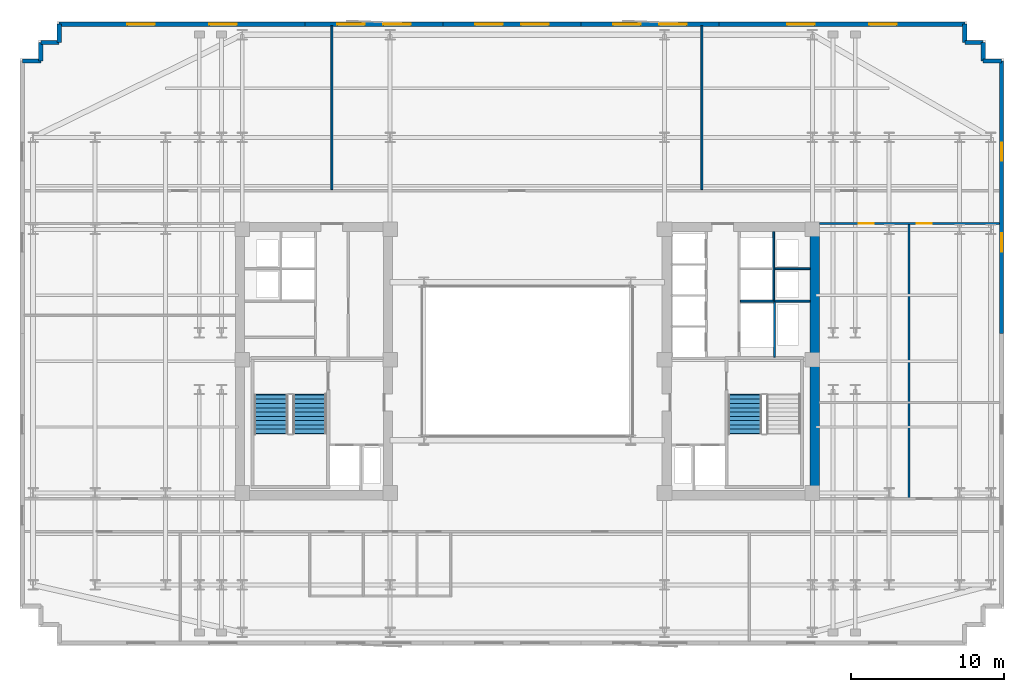
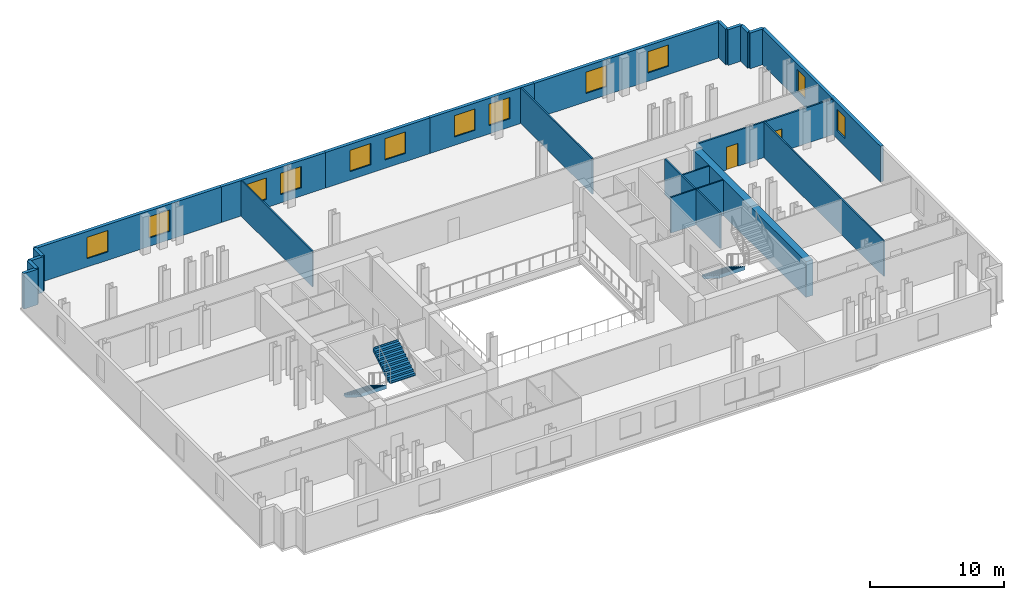
# One storey, part 7 of 10: 23 walls, 12 windows, 3 stair flights, 2 doors, 14 openings, 2 elements without a shape of their own.
"""IFC4 building model written with IfcOpenShell, lengths in metres."""

from ifc_helpers import new_model, si_unit, direction, frame, frame_2d, origin, place, context, subcontext, project, spatial, polyline, rectangle, outline, extrude, material, layer, layer_set, type_object, element, fill, aggregate, save


model = new_model("IFC4")

# Units and contexts
model_context = context("Model", 3, precision=1e-05, world=origin(), true_north=direction((0.0, 1.0)))
body_context = subcontext(model_context, "Body", "Model", "MODEL_VIEW")
ifc_project = project(units=[si_unit("LENGTHUNIT", "METRE"), si_unit("AREAUNIT", "SQUARE_METRE"), si_unit("VOLUMEUNIT", "CUBIC_METRE"), si_unit("PLANEANGLEUNIT", "RADIAN"), si_unit("MASSUNIT", "GRAM", prefix="KILO")], contexts=[model_context])

# Site, building, storey
site_placement = place(None, origin())
site = spatial("IfcSite", under=ifc_project, at=site_placement, CompositionType="ELEMENT")
building_placement = place(site_placement, origin())
building = spatial("IfcBuilding", under=site, at=building_placement, Name="Velakula Bourse", CompositionType="ELEMENT")
storey_placement = place(building_placement, frame((0.0, 0.0, 124.300048828125)))
storey = spatial("IfcBuildingStorey", under=building, at=storey_placement, Name="L33", CompositionType="ELEMENT", Elevation=124.300048828125)

# Wall
ifc_material_1 = material(Name="Concrete M70 (fck 70 MPa)", Category="concrete")
ifc_layer_1 = layer(ifc_material_1, 0.60009765625, Name="Concrete M70 (fck 70 MPa)", Category="concrete")
ifc_layer_set_1 = layer_set([ifc_layer_1], Name="Concrete M70 (fck 70 MPa)")
wall_type_1 = type_object("IfcWallType", Name="WL-CORE-600", PredefinedType="SHEAR", material=ifc_layer_set_1)
wall_1_placement = place(storey_placement, frame((18.75, -8.449951171875, 0.0), z_axis=(0.0, 0.0, 1.0), x_axis=(0.0, 1.0, 0.0)))
element("IfcWall", 1, at=wall_1_placement, inside=storey, type_object=wall_type_1, Name="L33 Core E Shear Wall E", PredefinedType="SHEAR", context=body_context, shape_type="SweptSolid", body=[
    extrude(rectangle(XDim=16.89990234375, YDim=0.60009765625, at=frame_2d((8.449951171875, 0.0))), origin(), (0.0, 0.0, 1.0), 3.27001953125),
])

# Wall, openings, windows
ifc_material_2 = material(Name="Red kilned clay facing brick masonry", Category="masonry")
ifc_layer_2 = layer(ifc_material_2, 0.280029296875, Name="Red kilned clay facing brick masonry", Category="masonry")
ifc_layer_set_2 = layer_set([ifc_layer_2], Name="Red kilned clay facing brick masonry")
wall_type_2 = type_object("IfcWallType", Name="WL-EXT-BRK-280", PredefinedType="STANDARD", material=ifc_layer_set_2)
wall_2_placement = place(storey_placement, frame((-30.5400390625, 21.989990234375, 0.0), z_axis=(0.0, 0.0, 1.0), x_axis=(1.0, 0.0, 0.0)))
wall_2 = element("IfcWall", 2, at=wall_2_placement, inside=storey, type_object=wall_type_2, Name="L33 N Brick Spandrel Wall B1", PredefinedType="STANDARD", context=body_context, shape_type="SweptSolid", body=[
    extrude(rectangle(XDim=16.0400390625, YDim=0.280029296875, at=frame_2d((8.02001953125, 0.0))), origin(), (0.0, 0.0, 1.0), 3.25),
])
opening_1_placement = place(wall_2_placement, frame((4.44677734375, 0.0, 0.760009765625)))
opening_1 = element("IfcOpeningElement", 3, at=opening_1_placement, cuts=wall_2, Name="Opening W-01", PredefinedType="OPENING", context=body_context, shape_type="SweptSolid", body=[
    extrude(rectangle(XDim=1.800048828125, YDim=1.949951171875, at=frame_2d((0.89990234375, 0.97509765625))), frame((0.0, 0.14990234375, 0.0), z_axis=(0.0, -1.0, 0.0), x_axis=(1.0, 0.0, 0.0)), (0.0, 0.0, 1.0), 0.300048828125),
])
opening_2_placement = place(wall_2_placement, frame((9.793212890625, 0.0, 0.760009765625)))
opening_2 = element("IfcOpeningElement", 4, at=opening_2_placement, cuts=wall_2, Name="Opening W-01", PredefinedType="OPENING", context=body_context, shape_type="SweptSolid", body=[
    extrude(rectangle(XDim=1.800048828125, YDim=1.949951171875, at=frame_2d((0.89990234375, 0.97509765625))), frame((0.0, 0.14990234375, 0.0), z_axis=(0.0, -1.0, 0.0), x_axis=(1.0, 0.0, 0.0)), (0.0, 0.0, 1.0), 0.300048828125),
])
ifc_material_3 = material(Name="Double-glazed solar-control Low-E glass", Category="glass")
window_type_1 = type_object("IfcWindowType", Name="WIN-TWR-1800x2100", PartitioningType="SINGLE_PANEL", PredefinedType="WINDOW", material=ifc_material_3)
window_1_placement = place(opening_1_placement, origin())
window_1 = element("IfcWindow", 5, at=window_1_placement, inside=storey, type_object=window_type_1, Name="L33 Deep-Set Recessed Window 1", OverallHeight=1.949951171875, OverallWidth=1.800048828125, PartitioningType="SINGLE_PANEL", PredefinedType="WINDOW", context=body_context, shape_type="SweptSolid", body=[
    extrude(rectangle(XDim=1.800048828125, YDim=1.949951171875, at=frame_2d((0.89990234375, 0.97509765625))), frame((0.0, 0.030029296875, 0.0), z_axis=(0.0, -1.0, 0.0), x_axis=(1.0, 0.0, 0.0)), (0.0, 0.0, 1.0), 0.06005859375),
])
fill(opening_1, window_1)
window_2_placement = place(opening_2_placement, origin())
window_2 = element("IfcWindow", 6, at=window_2_placement, inside=storey, type_object=window_type_1, Name="L33 Deep-Set Recessed Window 2", OverallHeight=1.949951171875, OverallWidth=1.800048828125, PartitioningType="SINGLE_PANEL", PredefinedType="WINDOW", context=body_context, shape_type="SweptSolid", body=[
    extrude(rectangle(XDim=1.800048828125, YDim=1.949951171875, at=frame_2d((0.89990234375, 0.97509765625))), frame((0.0, 0.030029296875, 0.0), z_axis=(0.0, -1.0, 0.0), x_axis=(1.0, 0.0, 0.0)), (0.0, 0.0, 1.0), 0.06005859375),
])
fill(opening_2, window_2)

wall_3_placement = place(storey_placement, frame((-14.5, 21.989990234375, 0.0), z_axis=(0.0, 0.0, 1.0), x_axis=(1.0, 0.0, 0.0)))
wall_3 = element("IfcWall", 7, at=wall_3_placement, inside=storey, type_object=wall_type_2, Name="L33 N Brick Spandrel Wall B2", PredefinedType="STANDARD", context=body_context, shape_type="SweptSolid", body=[
    extrude(rectangle(XDim=9.0, YDim=0.280029296875, at=frame_2d((4.5, 0.0))), origin(), (0.0, 0.0, 1.0), 3.25),
])
opening_3_placement = place(wall_3_placement, frame((2.10009765625, 0.0, 0.760009765625)))
opening_3 = element("IfcOpeningElement", 8, at=opening_3_placement, cuts=wall_3, Name="Opening W-01", PredefinedType="OPENING", context=body_context, shape_type="SweptSolid", body=[
    extrude(rectangle(XDim=1.800048828125, YDim=1.949951171875, at=frame_2d((0.89990234375, 0.97509765625))), frame((0.0, 0.14990234375, 0.0), z_axis=(0.0, -1.0, 0.0), x_axis=(1.0, 0.0, 0.0)), (0.0, 0.0, 1.0), 0.300048828125),
])
opening_4_placement = place(wall_3_placement, frame((5.10009765625, 0.0, 0.760009765625)))
opening_4 = element("IfcOpeningElement", 9, at=opening_4_placement, cuts=wall_3, Name="Opening W-01", PredefinedType="OPENING", context=body_context, shape_type="SweptSolid", body=[
    extrude(rectangle(XDim=1.800048828125, YDim=1.949951171875, at=frame_2d((0.89990234375, 0.97509765625))), frame((0.0, 0.14990234375, 0.0), z_axis=(0.0, -1.0, 0.0), x_axis=(1.0, 0.0, 0.0)), (0.0, 0.0, 1.0), 0.300048828125),
])
window_3_placement = place(opening_3_placement, origin())
window_3 = element("IfcWindow", 10, at=window_3_placement, inside=storey, type_object=window_type_1, Name="L33 Deep-Set Recessed Window 1", OverallHeight=1.949951171875, OverallWidth=1.800048828125, PartitioningType="SINGLE_PANEL", PredefinedType="WINDOW", context=body_context, shape_type="SweptSolid", body=[
    extrude(rectangle(XDim=1.800048828125, YDim=1.949951171875, at=frame_2d((0.89990234375, 0.97509765625))), frame((0.0, 0.030029296875, 0.0), z_axis=(0.0, -1.0, 0.0), x_axis=(1.0, 0.0, 0.0)), (0.0, 0.0, 1.0), 0.06005859375),
])
fill(opening_3, window_3)
window_4_placement = place(opening_4_placement, origin())
window_4 = element("IfcWindow", 11, at=window_4_placement, inside=storey, type_object=window_type_1, Name="L33 Deep-Set Recessed Window 2", OverallHeight=1.949951171875, OverallWidth=1.800048828125, PartitioningType="SINGLE_PANEL", PredefinedType="WINDOW", context=body_context, shape_type="SweptSolid", body=[
    extrude(rectangle(XDim=1.800048828125, YDim=1.949951171875, at=frame_2d((0.89990234375, 0.97509765625))), frame((0.0, 0.030029296875, 0.0), z_axis=(0.0, -1.0, 0.0), x_axis=(1.0, 0.0, 0.0)), (0.0, 0.0, 1.0), 0.06005859375),
])
fill(opening_4, window_4)

wall_4_placement = place(storey_placement, frame((-5.5, 21.989990234375, 0.0), z_axis=(0.0, 0.0, 1.0), x_axis=(1.0, 0.0, 0.0)))
wall_4 = element("IfcWall", 12, at=wall_4_placement, inside=storey, type_object=wall_type_2, Name="L33 N Brick Spandrel Wall B3", PredefinedType="STANDARD", context=body_context, shape_type="SweptSolid", body=[
    extrude(rectangle(XDim=9.0, YDim=0.280029296875, at=frame_2d((4.5, 0.0))), origin(), (0.0, 0.0, 1.0), 3.25),
])
opening_5_placement = place(wall_4_placement, frame((2.10009765625, 0.0, 0.760009765625)))
opening_5 = element("IfcOpeningElement", 13, at=opening_5_placement, cuts=wall_4, Name="Opening W-01", PredefinedType="OPENING", context=body_context, shape_type="SweptSolid", body=[
    extrude(rectangle(XDim=1.800048828125, YDim=1.949951171875, at=frame_2d((0.89990234375, 0.97509765625))), frame((0.0, 0.14990234375, 0.0), z_axis=(0.0, -1.0, 0.0), x_axis=(1.0, 0.0, 0.0)), (0.0, 0.0, 1.0), 0.300048828125),
])
opening_6_placement = place(wall_4_placement, frame((5.10009765625, 0.0, 0.760009765625)))
opening_6 = element("IfcOpeningElement", 14, at=opening_6_placement, cuts=wall_4, Name="Opening W-01", PredefinedType="OPENING", context=body_context, shape_type="SweptSolid", body=[
    extrude(rectangle(XDim=1.800048828125, YDim=1.949951171875, at=frame_2d((0.89990234375, 0.97509765625))), frame((0.0, 0.14990234375, 0.0), z_axis=(0.0, -1.0, 0.0), x_axis=(1.0, 0.0, 0.0)), (0.0, 0.0, 1.0), 0.300048828125),
])
window_5_placement = place(opening_5_placement, origin())
window_5 = element("IfcWindow", 15, at=window_5_placement, inside=storey, type_object=window_type_1, Name="L33 Deep-Set Recessed Window 1", OverallHeight=1.949951171875, OverallWidth=1.800048828125, PartitioningType="SINGLE_PANEL", PredefinedType="WINDOW", context=body_context, shape_type="SweptSolid", body=[
    extrude(rectangle(XDim=1.800048828125, YDim=1.949951171875, at=frame_2d((0.89990234375, 0.97509765625))), frame((0.0, 0.030029296875, 0.0), z_axis=(0.0, -1.0, 0.0), x_axis=(1.0, 0.0, 0.0)), (0.0, 0.0, 1.0), 0.06005859375),
])
fill(opening_5, window_5)
window_6_placement = place(opening_6_placement, origin())
window_6 = element("IfcWindow", 16, at=window_6_placement, inside=storey, type_object=window_type_1, Name="L33 Deep-Set Recessed Window 2", OverallHeight=1.949951171875, OverallWidth=1.800048828125, PartitioningType="SINGLE_PANEL", PredefinedType="WINDOW", context=body_context, shape_type="SweptSolid", body=[
    extrude(rectangle(XDim=1.800048828125, YDim=1.949951171875, at=frame_2d((0.89990234375, 0.97509765625))), frame((0.0, 0.030029296875, 0.0), z_axis=(0.0, -1.0, 0.0), x_axis=(1.0, 0.0, 0.0)), (0.0, 0.0, 1.0), 0.06005859375),
])
fill(opening_6, window_6)

wall_5_placement = place(storey_placement, frame((3.5, 21.989990234375, 0.0), z_axis=(0.0, 0.0, 1.0), x_axis=(1.0, 0.0, 0.0)))
wall_5 = element("IfcWall", 17, at=wall_5_placement, inside=storey, type_object=wall_type_2, Name="L33 N Brick Spandrel Wall B4", PredefinedType="STANDARD", context=body_context, shape_type="SweptSolid", body=[
    extrude(rectangle(XDim=9.0, YDim=0.280029296875, at=frame_2d((4.5, 0.0))), origin(), (0.0, 0.0, 1.0), 3.25),
])
opening_7_placement = place(wall_5_placement, frame((2.10009765625, 0.0, 0.760009765625)))
opening_7 = element("IfcOpeningElement", 18, at=opening_7_placement, cuts=wall_5, Name="Opening W-01", PredefinedType="OPENING", context=body_context, shape_type="SweptSolid", body=[
    extrude(rectangle(XDim=1.800048828125, YDim=1.949951171875, at=frame_2d((0.89990234375, 0.97509765625))), frame((0.0, 0.14990234375, 0.0), z_axis=(0.0, -1.0, 0.0), x_axis=(1.0, 0.0, 0.0)), (0.0, 0.0, 1.0), 0.300048828125),
])
opening_8_placement = place(wall_5_placement, frame((5.10009765625, 0.0, 0.760009765625)))
opening_8 = element("IfcOpeningElement", 19, at=opening_8_placement, cuts=wall_5, Name="Opening W-01", PredefinedType="OPENING", context=body_context, shape_type="SweptSolid", body=[
    extrude(rectangle(XDim=1.800048828125, YDim=1.949951171875, at=frame_2d((0.89990234375, 0.97509765625))), frame((0.0, 0.14990234375, 0.0), z_axis=(0.0, -1.0, 0.0), x_axis=(1.0, 0.0, 0.0)), (0.0, 0.0, 1.0), 0.300048828125),
])
window_7_placement = place(opening_7_placement, origin())
window_7 = element("IfcWindow", 20, at=window_7_placement, inside=storey, type_object=window_type_1, Name="L33 Deep-Set Recessed Window 1", OverallHeight=1.949951171875, OverallWidth=1.800048828125, PartitioningType="SINGLE_PANEL", PredefinedType="WINDOW", context=body_context, shape_type="SweptSolid", body=[
    extrude(rectangle(XDim=1.800048828125, YDim=1.949951171875, at=frame_2d((0.89990234375, 0.97509765625))), frame((0.0, 0.030029296875, 0.0), z_axis=(0.0, -1.0, 0.0), x_axis=(1.0, 0.0, 0.0)), (0.0, 0.0, 1.0), 0.06005859375),
])
fill(opening_7, window_7)
window_8_placement = place(opening_8_placement, origin())
window_8 = element("IfcWindow", 21, at=window_8_placement, inside=storey, type_object=window_type_1, Name="L33 Deep-Set Recessed Window 2", OverallHeight=1.949951171875, OverallWidth=1.800048828125, PartitioningType="SINGLE_PANEL", PredefinedType="WINDOW", context=body_context, shape_type="SweptSolid", body=[
    extrude(rectangle(XDim=1.800048828125, YDim=1.949951171875, at=frame_2d((0.89990234375, 0.97509765625))), frame((0.0, 0.030029296875, 0.0), z_axis=(0.0, -1.0, 0.0), x_axis=(1.0, 0.0, 0.0)), (0.0, 0.0, 1.0), 0.06005859375),
])
fill(opening_8, window_8)

wall_6_placement = place(storey_placement, frame((12.5, 21.989990234375, 0.0), z_axis=(0.0, 0.0, 1.0), x_axis=(1.0, 0.0, 0.0)))
wall_6 = element("IfcWall", 22, at=wall_6_placement, inside=storey, type_object=wall_type_2, Name="L33 N Brick Spandrel Wall B5", PredefinedType="STANDARD", context=body_context, shape_type="SweptSolid", body=[
    extrude(rectangle(XDim=16.0400390625, YDim=0.280029296875, at=frame_2d((8.02001953125, 0.0))), origin(), (0.0, 0.0, 1.0), 3.25),
])
opening_9_placement = place(wall_6_placement, frame((4.44677734375, 0.0, 0.760009765625)))
opening_9 = element("IfcOpeningElement", 23, at=opening_9_placement, cuts=wall_6, Name="Opening W-01", PredefinedType="OPENING", context=body_context, shape_type="SweptSolid", body=[
    extrude(rectangle(XDim=1.800048828125, YDim=1.949951171875, at=frame_2d((0.89990234375, 0.97509765625))), frame((0.0, 0.14990234375, 0.0), z_axis=(0.0, -1.0, 0.0), x_axis=(1.0, 0.0, 0.0)), (0.0, 0.0, 1.0), 0.300048828125),
])
opening_10_placement = place(wall_6_placement, frame((9.793212890625, 0.0, 0.760009765625)))
opening_10 = element("IfcOpeningElement", 24, at=opening_10_placement, cuts=wall_6, Name="Opening W-01", PredefinedType="OPENING", context=body_context, shape_type="SweptSolid", body=[
    extrude(rectangle(XDim=1.800048828125, YDim=1.949951171875, at=frame_2d((0.89990234375, 0.97509765625))), frame((0.0, 0.14990234375, 0.0), z_axis=(0.0, -1.0, 0.0), x_axis=(1.0, 0.0, 0.0)), (0.0, 0.0, 1.0), 0.300048828125),
])
window_9_placement = place(opening_9_placement, origin())
window_9 = element("IfcWindow", 25, at=window_9_placement, inside=storey, type_object=window_type_1, Name="L33 Deep-Set Recessed Window 1", OverallHeight=1.949951171875, OverallWidth=1.800048828125, PartitioningType="SINGLE_PANEL", PredefinedType="WINDOW", context=body_context, shape_type="SweptSolid", body=[
    extrude(rectangle(XDim=1.800048828125, YDim=1.949951171875, at=frame_2d((0.89990234375, 0.97509765625))), frame((0.0, 0.030029296875, 0.0), z_axis=(0.0, -1.0, 0.0), x_axis=(1.0, 0.0, 0.0)), (0.0, 0.0, 1.0), 0.06005859375),
])
fill(opening_9, window_9)
window_10_placement = place(opening_10_placement, origin())
window_10 = element("IfcWindow", 26, at=window_10_placement, inside=storey, type_object=window_type_1, Name="L33 Deep-Set Recessed Window 2", OverallHeight=1.949951171875, OverallWidth=1.800048828125, PartitioningType="SINGLE_PANEL", PredefinedType="WINDOW", context=body_context, shape_type="SweptSolid", body=[
    extrude(rectangle(XDim=1.800048828125, YDim=1.949951171875, at=frame_2d((0.89990234375, 0.97509765625))), frame((0.0, 0.030029296875, 0.0), z_axis=(0.0, -1.0, 0.0), x_axis=(1.0, 0.0, 0.0)), (0.0, 0.0, 1.0), 0.06005859375),
])
fill(opening_10, window_10)

wall_7_placement = place(storey_placement, frame((30.93994140625, 19.590087890625, 0.0), z_axis=(0.0, 0.0, 1.0), x_axis=(0.0, -1.0, 0.0)))
wall_7 = element("IfcWall", 27, at=wall_7_placement, inside=storey, type_object=wall_type_2, Name="L33 E Brick End Wall W2", PredefinedType="STANDARD", context=body_context, shape_type="SweptSolid", body=[
    extrude(rectangle(XDim=17.7900390625, YDim=0.280029296875, at=frame_2d((8.89501953125, 0.0))), origin(), (0.0, 0.0, 1.0), 3.25),
])
opening_11_placement = place(wall_7_placement, frame((5.330078125, 0.0, 0.760009765625)))
opening_11 = element("IfcOpeningElement", 28, at=opening_11_placement, cuts=wall_7, Name="Opening W-04", PredefinedType="OPENING", context=body_context, shape_type="SweptSolid", body=[
    extrude(rectangle(XDim=1.199951171875, YDim=1.949951171875, at=frame_2d((0.60009765625, 0.97509765625))), frame((0.0, 0.14990234375, 0.0), z_axis=(0.0, -1.0, 0.0), x_axis=(1.0, 0.0, 0.0)), (0.0, 0.0, 1.0), 0.300048828125),
])
opening_12_placement = place(wall_7_placement, frame((11.260009765625, 0.0, 0.760009765625)))
opening_12 = element("IfcOpeningElement", 29, at=opening_12_placement, cuts=wall_7, Name="Opening W-04", PredefinedType="OPENING", context=body_context, shape_type="SweptSolid", body=[
    extrude(rectangle(XDim=1.199951171875, YDim=1.949951171875, at=frame_2d((0.60009765625, 0.97509765625))), frame((0.0, 0.14990234375, 0.0), z_axis=(0.0, -1.0, 0.0), x_axis=(1.0, 0.0, 0.0)), (0.0, 0.0, 1.0), 0.300048828125),
])
window_type_2 = type_object("IfcWindowType", Name="WIN-TWR-1200x2100", PartitioningType="SINGLE_PANEL", PredefinedType="WINDOW", material=ifc_material_3)
window_11_placement = place(opening_11_placement, origin())
window_11 = element("IfcWindow", 30, at=window_11_placement, inside=storey, type_object=window_type_2, Name="L33 Deep-Set Recessed Window 1", OverallHeight=1.949951171875, OverallWidth=1.199951171875, PartitioningType="SINGLE_PANEL", PredefinedType="WINDOW", context=body_context, shape_type="SweptSolid", body=[
    extrude(rectangle(XDim=1.199951171875, YDim=1.949951171875, at=frame_2d((0.60009765625, 0.97509765625))), frame((0.0, 0.030029296875, 0.0), z_axis=(0.0, -1.0, 0.0), x_axis=(1.0, 0.0, 0.0)), (0.0, 0.0, 1.0), 0.06005859375),
])
fill(opening_11, window_11)
window_12_placement = place(opening_12_placement, origin())
window_12 = element("IfcWindow", 31, at=window_12_placement, inside=storey, type_object=window_type_2, Name="L33 Deep-Set Recessed Window 2", OverallHeight=1.949951171875, OverallWidth=1.199951171875, PartitioningType="SINGLE_PANEL", PredefinedType="WINDOW", context=body_context, shape_type="SweptSolid", body=[
    extrude(rectangle(XDim=1.199951171875, YDim=1.949951171875, at=frame_2d((0.60009765625, 0.97509765625))), frame((0.0, 0.030029296875, 0.0), z_axis=(0.0, -1.0, 0.0), x_axis=(1.0, 0.0, 0.0)), (0.0, 0.0, 1.0), 0.06005859375),
])
fill(opening_12, window_12)

# Walls
for number, where, z_axis, x_axis, name in (
    (32, (30.93994140625, 19.590087890625, 0.0), (0.0, 0.0, 1.0), (-1.0, 0.0, 0.0), "L33 Serrated Corner Brick Wall NE-1"),
    (33, (29.739990234375, 19.590087890625, 0.0), (0.0, 0.0, 1.0), (0.0, 1.0, 0.0), "L33 Serrated Corner Brick Wall NE-2"),
    (34, (29.739990234375, 20.7900390625, 0.0), (0.0, 0.0, 1.0), (-1.0, 0.0, 0.0), "L33 Serrated Corner Brick Wall NE-3"),
    (35, (28.5400390625, 20.7900390625, 0.0), (0.0, 0.0, 1.0), (0.0, 1.0, 0.0), "L33 Serrated Corner Brick Wall NE-4"),
    (36, (-30.5400390625, 21.989990234375, 0.0), (0.0, 0.0, 1.0), (0.0, -1.0, 0.0), "L33 Serrated Corner Brick Wall NW-1"),
    (37, (-30.5400390625, 20.7900390625, 0.0), (0.0, 0.0, 1.0), (-1.0, 0.0, 0.0), "L33 Serrated Corner Brick Wall NW-2"),
    (38, (-31.739990234375, 20.7900390625, 0.0), (0.0, 0.0, 1.0), (0.0, -1.0, 0.0), "L33 Serrated Corner Brick Wall NW-3"),
    (39, (-31.739990234375, 19.590087890625, 0.0), (0.0, 0.0, 1.0), (-1.0, 0.0, 0.0), "L33 Serrated Corner Brick Wall NW-4"),
):
    element("IfcWall", number, at=place(storey_placement, frame(where, z_axis=z_axis, x_axis=x_axis)), inside=storey, type_object=wall_type_2, Name=name, PredefinedType="STANDARD", context=body_context, shape_type="SweptSolid", body=[
        extrude(rectangle(XDim=1.199951171875, YDim=0.280029296875, at=frame_2d((0.60009765625, 0.0))), origin(), (0.0, 0.0, 1.0), 3.25),
    ])
ifc_material_4 = material(Name="Fire-rated double-layer gypsum drywall partition", Category="gypsum")
ifc_layer_3 = layer(ifc_material_4, 0.1201171875, Name="Fire-rated double-layer gypsum drywall partition", Category="gypsum")
ifc_layer_set_3 = layer_set([ifc_layer_3], Name="Fire-rated double-layer gypsum drywall partition")
wall_type_3 = type_object("IfcWallType", Name="WL-PART-120", PredefinedType="STANDARD", material=ifc_layer_set_3)
wall_8_placement = place(storey_placement, frame((13.89990234375, 3.919921875, 0.0), z_axis=(0.0, 0.0, 1.0), x_axis=(1.0, 0.0, 0.0)))
element("IfcWall", 40, at=wall_8_placement, inside=storey, type_object=wall_type_3, Name="L33 Interior Partition WL-CRE-L33-HI-S", PredefinedType="STANDARD", context=body_context, shape_type="SweptSolid", body=[
    extrude(rectangle(XDim=4.550048828125, YDim=0.1201171875, at=frame_2d((2.27490234375, 0.0))), origin(), (0.0, 0.0, 1.0), 3.25),
])
wall_9_placement = place(storey_placement, frame((16.14990234375, 6.030029296875, 0.0), z_axis=(0.0, 0.0, 1.0), x_axis=(1.0, 0.0, 0.0)))
element("IfcWall", 41, at=wall_9_placement, inside=storey, type_object=wall_type_3, Name="L33 Interior Partition WL-CRE-L33-RIS-MID", PredefinedType="STANDARD", context=body_context, shape_type="SweptSolid", body=[
    extrude(rectangle(XDim=2.300048828125, YDim=0.1201171875, at=frame_2d((1.14990234375, 0.0))), origin(), (0.0, 0.0, 1.0), 3.25),
])
wall_10_placement = place(storey_placement, frame((16.074951171875, 3.97998046875, 0.0), z_axis=(0.0, 0.0, 1.0), x_axis=(0.0, 1.0, 0.0)))
element("IfcWall", 42, at=wall_10_placement, inside=storey, type_object=wall_type_3, Name="L33 Interior Partition WL-CRE-L33-RIS-F", PredefinedType="STANDARD", context=body_context, shape_type="SweptSolid", body=[
    extrude(rectangle(XDim=4.469970703125, YDim=0.1201171875, at=frame_2d((2.23486328125, 0.0))), origin(), (0.0, 0.0, 1.0), 3.25),
])
wall_11_placement = place(storey_placement, frame((16.125, 0.27001953125, 0.0), z_axis=(0.0, 0.0, 1.0), x_axis=(0.0, 1.0, 0.0)))
element("IfcWall", 43, at=wall_11_placement, inside=storey, type_object=wall_type_3, Name="L33 Interior Partition WL-CRE-L33-SVL-E", PredefinedType="STANDARD", context=body_context, shape_type="SweptSolid", body=[
    extrude(rectangle(XDim=3.590087890625, YDim=0.1201171875, at=frame_2d((1.794921875, 0.0))), origin(), (0.0, 0.0, 1.0), 3.25),
])
for number, where, z_axis, x_axis, name in (
    (44, (-12.7509765625, 11.18994140625, 0.0), (0.0, 0.0, 1.0), (0.0, 1.0, 0.0), "L33 Interior Partition WL-INT-L33-N-D1"),
    (45, (11.385986328125, 11.18994140625, 0.0), (0.0, 0.0, 1.0), (0.0, 1.0, 0.0), "L33 Interior Partition WL-INT-L33-N-D2"),
):
    element("IfcWall", number, at=place(storey_placement, frame(where, z_axis=z_axis, x_axis=x_axis)), inside=storey, type_object=wall_type_3, Name=name, PredefinedType="STANDARD", context=body_context, shape_type="SweptSolid", body=[
        extrude(rectangle(XDim=10.68017578125, YDim=0.1201171875, at=frame_2d((5.340087890625, 0.0))), origin(), (0.0, 0.0, 1.0), 3.25),
    ])
wall_12_placement = place(storey_placement, frame((24.905029296875, -8.97998046875, 0.0), z_axis=(0.0, 0.0, 1.0), x_axis=(0.0, 1.0, 0.0)))
element("IfcWall", 46, at=wall_12_placement, inside=storey, type_object=wall_type_3, Name="L33 Interior Partition WL-INT-L33-E-V1", PredefinedType="STANDARD", context=body_context, shape_type="SweptSolid", body=[
    extrude(rectangle(XDim=17.9599609375, YDim=0.1201171875, at=frame_2d((8.97998046875, 0.0))), origin(), (0.0, 0.0, 1.0), 3.25),
])

# Wall, openings, doors
ifc_layer_4 = layer(ifc_material_4, 0.139892578125, Name="Fire-rated double-layer gypsum drywall partition", Category="gypsum")
ifc_layer_set_4 = layer_set([ifc_layer_4], Name="Fire-rated double-layer gypsum drywall partition")
wall_type_4 = type_object("IfcWallType", Name="WL-PART-140", PredefinedType="STANDARD", material=ifc_layer_set_4)
wall_13_placement = place(storey_placement, frame((19.050048828125, 8.97998046875, 0.0), z_axis=(0.0, 0.0, 1.0), x_axis=(1.0, 0.0, 0.0)))
wall_13 = element("IfcWall", 47, at=wall_13_placement, inside=storey, type_object=wall_type_4, Name="L33 Interior Partition WL-INT-L33-E-NC", PredefinedType="STANDARD", context=body_context, shape_type="SweptSolid", body=[
    extrude(rectangle(XDim=11.77001953125, YDim=0.139892578125, at=frame_2d((5.885009765625, 0.0))), origin(), (0.0, 0.0, 1.0), 3.25),
])
opening_13_placement = place(wall_13_placement, frame((2.5576171875, 0.0, 0.0)))
opening_13 = element("IfcOpeningElement", 48, at=opening_13_placement, cuts=wall_13, Name="Opening D-OF1", PredefinedType="OPENING", context=body_context, shape_type="SweptSolid", body=[
    extrude(rectangle(XDim=1.0, YDim=2.080078125, at=frame_2d((0.5, 1.0400390625))), frame((0.0, 0.079833984375, 0.0), z_axis=(0.0, -1.0, 0.0), x_axis=(1.0, 0.0, 0.0)), (0.0, 0.0, 1.0), 0.159912109375),
])
opening_14_placement = place(wall_13_placement, frame((6.346923828125, 0.0, 0.0)))
opening_14 = element("IfcOpeningElement", 49, at=opening_14_placement, cuts=wall_13, Name="Opening D-OF1", PredefinedType="OPENING", context=body_context, shape_type="SweptSolid", body=[
    extrude(rectangle(XDim=1.0, YDim=2.080078125, at=frame_2d((0.5, 1.0400390625))), frame((0.0, 0.079833984375, 0.0), z_axis=(0.0, -1.0, 0.0), x_axis=(1.0, 0.0, 0.0)), (0.0, 0.0, 1.0), 0.159912109375),
])
ifc_material_5 = material(Name="Fire-rated hardwood flush architectural door", Category="wood")
door_type = type_object("IfcDoorType", Name="DR-OFF-1000", OperationType="NOTDEFINED", PredefinedType="DOOR", material=ifc_material_5)
door_1_placement = place(opening_13_placement, origin())
door_1 = element("IfcDoor", 50, at=door_1_placement, inside=storey, type_object=door_type, Name="L33 Legal Counsel Office Door", OperationType="SINGLE_SWING_LEFT", OverallHeight=2.080078125, OverallWidth=1.0, PredefinedType="DOOR", context=body_context, shape_type="SweptSolid", body=[
    extrude(rectangle(XDim=1.0, YDim=2.080078125, at=frame_2d((0.5, 1.0400390625))), frame((0.0, 0.02490234375, 0.0), z_axis=(0.0, -1.0, 0.0), x_axis=(1.0, 0.0, 0.0)), (0.0, 0.0, 1.0), 0.050048828125),
])
fill(opening_13, door_1)
door_2_placement = place(opening_14_placement, origin())
door_2 = element("IfcDoor", 51, at=door_2_placement, inside=storey, type_object=door_type, Name="L33 Disciplinary Hearing Room Door", OperationType="SINGLE_SWING_RIGHT", OverallHeight=2.080078125, OverallWidth=1.0, PredefinedType="DOOR", context=body_context, shape_type="SweptSolid", body=[
    extrude(rectangle(XDim=1.0, YDim=2.080078125, at=frame_2d((0.5, 1.0400390625))), frame((0.0, 0.02490234375, 0.0), z_axis=(0.0, -1.0, 0.0), x_axis=(1.0, 0.0, 0.0)), (0.0, 0.0, 1.0), 0.050048828125),
])
fill(opening_14, door_2)

# Stair, stair flights
ifc_material_6 = material(Name="Concrete M45 (fck 45 MPa)", Category="concrete")
stair_type = type_object("IfcStairType", Name="STR-DOG-390", PredefinedType="HALF_TURN_STAIR", material=ifc_material_6)
stair_1_placement = place(storey_placement, origin())
stair_1 = element("IfcStair", 52, at=stair_1_placement, inside=storey, type_object=stair_type, Name="L33 West Core Exit Stair ST-W1", PredefinedType="HALF_TURN_STAIR")
ifc_layer_5 = layer(ifc_material_6, 0.195068359375, Name="Concrete M45 (fck 45 MPa)", Category="concrete")
ifc_layer_set_5 = layer_set([ifc_layer_5], Name="Concrete M45 (fck 45 MPa)")
stair_flight_type = type_object("IfcStairFlightType", Name="FLT-DOG-390", PredefinedType="STRAIGHT", material=ifc_layer_set_5)
stair_flight_1_placement = place(storey_placement, frame((-16.720947265625, -2.199951171875, 0.0), z_axis=(0.0, 0.0, 1.0), x_axis=(0.0, -1.0, 0.0)))
stair_flight_1 = element("IfcStairFlight", 53, at=stair_flight_1_placement, type_object=stair_flight_type, Name="ST-W1 flight 1", NumberOfRisers=10, NumberOfTreads=9, PredefinedType="STRAIGHT", RiserHeight=0.1725, TreadLength=0.28, context=body_context, shape_type="SweptSolid", body=[
    extrude(outline(polyline([(-0.044921875, -0.0400390625), (-0.044921875, -0.036865234375), (-0.044921875, -0.033935546875), (-0.044921875, -0.03076171875), (-0.044921875, -0.027587890625), (-0.044921875, -0.024658203125), (-0.044921875, -0.021484375), (-0.044921875, -0.0185546875), (-0.044921875, -0.015380859375), (-0.044921875, -0.01220703125), (-0.044921875, -0.00927734375), (-0.044921875, -0.006103515625), (-0.044921875, -0.003173828125), (-0.044921875, 0.0), (0.0, 0.0), (0.0, 0.172607421875), (0.280029296875, 0.172607421875), (0.280029296875, 0.344970703125), (0.56005859375, 0.344970703125), (0.56005859375, 0.517578125), (0.840087890625, 0.517578125), (0.840087890625, 0.68994140625), (1.1201171875, 0.68994140625), (1.1201171875, 0.862548828125), (1.39990234375, 0.862548828125), (1.39990234375, 1.034912109375), (1.679931640625, 1.034912109375), (1.679931640625, 1.20751953125), (1.9599609375, 1.20751953125), (1.9599609375, 1.3798828125), (2.239990234375, 1.3798828125), (2.239990234375, 1.552490234375), (2.52001953125, 1.552490234375), (2.52001953125, 1.72509765625), (2.56494140625, 1.72509765625), (2.56494140625, 1.7001953125), (2.56494140625, 1.67529296875), (2.56494140625, 1.650390625), (2.56494140625, 1.62548828125), (2.56494140625, 1.6005859375), (2.56494140625, 1.57568359375), (2.56494140625, 1.55078125), (2.56494140625, 1.52587890625), (2.56494140625, 1.5009765625), (2.56494140625, 1.47607421875), (2.56494140625, 1.451171875), (2.56494140625, 1.42626953125), (2.56494140625, 1.4013671875), (2.56494140625, 1.37646484375), (0.285888671875, -0.0400390625), (-0.044921875, -0.0400390625)])), frame((0.0, 1.09912109375, 0.0), z_axis=(0.0, -1.0, 0.0), x_axis=(1.0, 0.0, 0.0)), (0.0, 0.0, 1.0), 2.197998046875),
])
stair_flight_2_placement = place(storey_placement, frame((-14.198974609375, -4.719970703125, 1.724853515625), z_axis=(0.0, 0.0, 1.0), x_axis=(0.0, 1.0, 0.0)))
stair_flight_2 = element("IfcStairFlight", 54, at=stair_flight_2_placement, type_object=stair_flight_type, Name="ST-W1 flight 2", NumberOfRisers=10, NumberOfTreads=9, PredefinedType="STRAIGHT", RiserHeight=0.1725, TreadLength=0.28, context=body_context, shape_type="SweptSolid", body=[
    extrude(outline(polyline([(-0.044921875, -0.0400390625), (-0.044921875, -0.036865234375), (-0.044921875, -0.033935546875), (-0.044921875, -0.03076171875), (-0.044921875, -0.027587890625), (-0.044921875, -0.024658203125), (-0.044921875, -0.021484375), (-0.044921875, -0.0185546875), (-0.044921875, -0.015380859375), (-0.044921875, -0.01220703125), (-0.044921875, -0.00927734375), (-0.044921875, -0.006103515625), (-0.044921875, -0.003173828125), (-0.044921875, 0.0), (0.0, 0.0), (0.0, 0.172607421875), (0.280029296875, 0.172607421875), (0.280029296875, 0.344970703125), (0.56005859375, 0.344970703125), (0.56005859375, 0.517578125), (0.840087890625, 0.517578125), (0.840087890625, 0.68994140625), (1.1201171875, 0.68994140625), (1.1201171875, 0.862548828125), (1.39990234375, 0.862548828125), (1.39990234375, 1.034912109375), (1.679931640625, 1.034912109375), (1.679931640625, 1.20751953125), (1.9599609375, 1.20751953125), (1.9599609375, 1.3798828125), (2.239990234375, 1.3798828125), (2.239990234375, 1.552490234375), (2.52001953125, 1.552490234375), (2.52001953125, 1.72509765625), (2.56494140625, 1.72509765625), (2.56494140625, 1.7001953125), (2.56494140625, 1.67529296875), (2.56494140625, 1.650390625), (2.56494140625, 1.62548828125), (2.56494140625, 1.6005859375), (2.56494140625, 1.57568359375), (2.56494140625, 1.55078125), (2.56494140625, 1.52587890625), (2.56494140625, 1.5009765625), (2.56494140625, 1.47607421875), (2.56494140625, 1.451171875), (2.56494140625, 1.42626953125), (2.56494140625, 1.4013671875), (2.56494140625, 1.37646484375), (0.285888671875, -0.0400390625), (-0.044921875, -0.0400390625)])), frame((0.0, 1.09912109375, 0.0), z_axis=(0.0, -1.0, 0.0), x_axis=(1.0, 0.0, 0.0)), (0.0, 0.0, 1.0), 2.197998046875),
])
aggregate(stair_1, [stair_flight_1, stair_flight_2])

# Stair, stair flight
stair_2_placement = place(storey_placement, origin())
stair_2 = element("IfcStair", 55, at=stair_2_placement, inside=storey, type_object=stair_type, Name="L33 East Core Exit Stair ST-E1", PredefinedType="HALF_TURN_STAIR")
stair_flight_3_placement = place(storey_placement, frame((14.198974609375, -2.199951171875, 0.0), z_axis=(0.0, 0.0, 1.0), x_axis=(0.0, -1.0, 0.0)))
stair_flight_3 = element("IfcStairFlight", 56, at=stair_flight_3_placement, type_object=stair_flight_type, Name="ST-E1 flight 1", NumberOfRisers=10, NumberOfTreads=9, PredefinedType="STRAIGHT", RiserHeight=0.1725, TreadLength=0.28, context=body_context, shape_type="SweptSolid", body=[
    extrude(outline(polyline([(-0.044921875, -0.0400390625), (-0.044921875, -0.036865234375), (-0.044921875, -0.033935546875), (-0.044921875, -0.03076171875), (-0.044921875, -0.027587890625), (-0.044921875, -0.024658203125), (-0.044921875, -0.021484375), (-0.044921875, -0.0185546875), (-0.044921875, -0.015380859375), (-0.044921875, -0.01220703125), (-0.044921875, -0.00927734375), (-0.044921875, -0.006103515625), (-0.044921875, -0.003173828125), (-0.044921875, 0.0), (0.0, 0.0), (0.0, 0.172607421875), (0.280029296875, 0.172607421875), (0.280029296875, 0.344970703125), (0.56005859375, 0.344970703125), (0.56005859375, 0.517578125), (0.840087890625, 0.517578125), (0.840087890625, 0.68994140625), (1.1201171875, 0.68994140625), (1.1201171875, 0.862548828125), (1.39990234375, 0.862548828125), (1.39990234375, 1.034912109375), (1.679931640625, 1.034912109375), (1.679931640625, 1.20751953125), (1.9599609375, 1.20751953125), (1.9599609375, 1.3798828125), (2.239990234375, 1.3798828125), (2.239990234375, 1.552490234375), (2.52001953125, 1.552490234375), (2.52001953125, 1.72509765625), (2.56494140625, 1.72509765625), (2.56494140625, 1.7001953125), (2.56494140625, 1.67529296875), (2.56494140625, 1.650390625), (2.56494140625, 1.62548828125), (2.56494140625, 1.6005859375), (2.56494140625, 1.57568359375), (2.56494140625, 1.55078125), (2.56494140625, 1.52587890625), (2.56494140625, 1.5009765625), (2.56494140625, 1.47607421875), (2.56494140625, 1.451171875), (2.56494140625, 1.42626953125), (2.56494140625, 1.4013671875), (2.56494140625, 1.37646484375), (0.285888671875, -0.0400390625), (-0.044921875, -0.0400390625)])), frame((0.0, 1.09912109375, 0.0), z_axis=(0.0, -1.0, 0.0), x_axis=(1.0, 0.0, 0.0)), (0.0, 0.0, 1.0), 2.197998046875),
])
aggregate(stair_2, [stair_flight_3])

save(model, "model.ifc")
